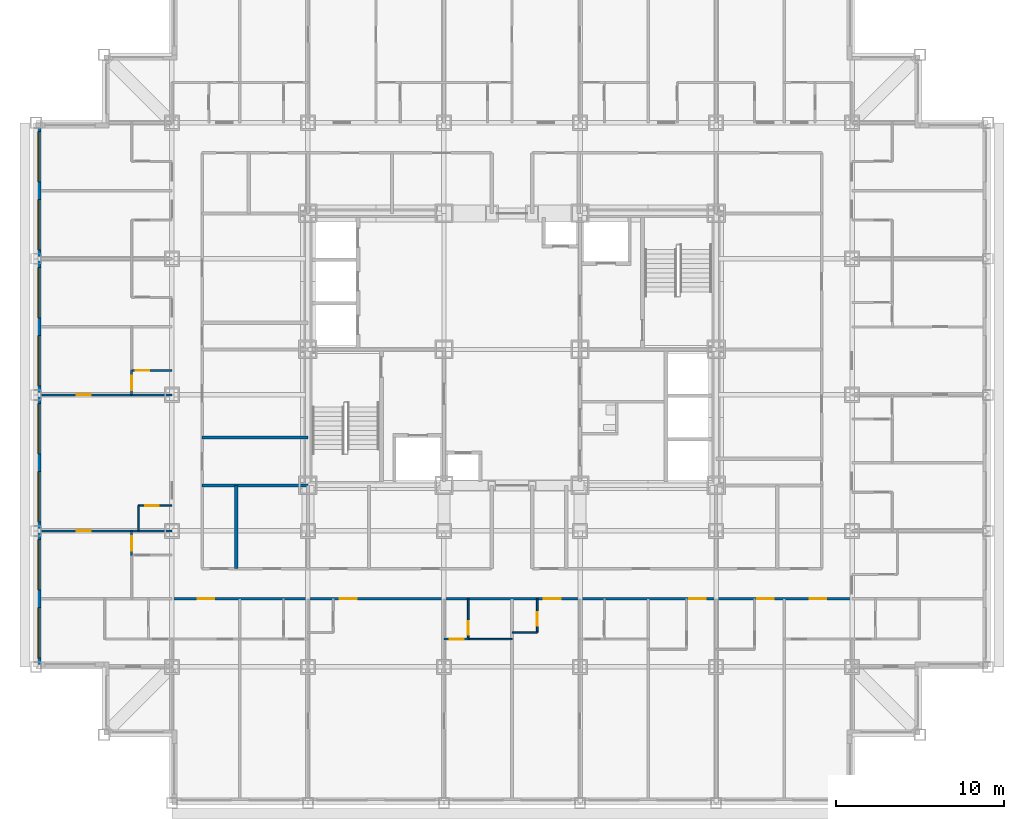
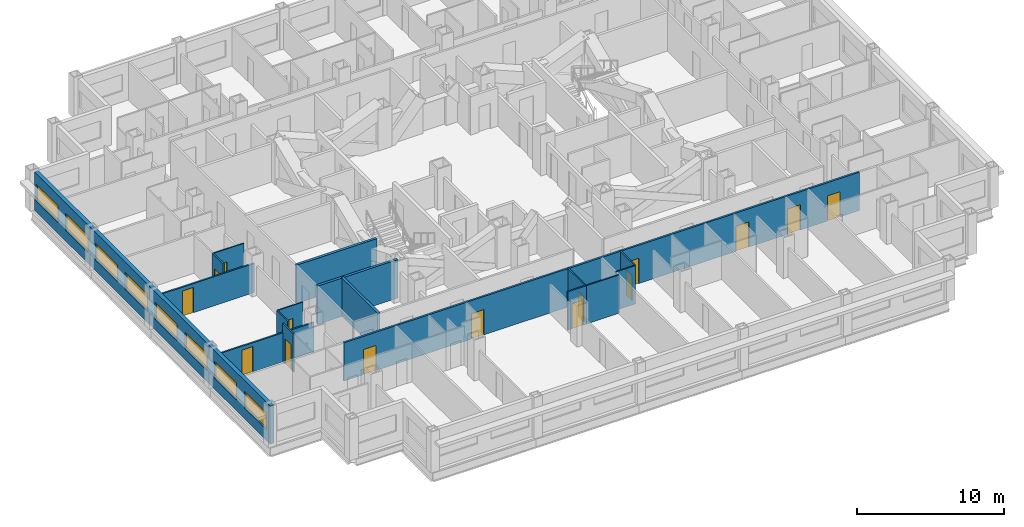
# One storey, part 5 of 14: 17 walls, 15 doors, 8 windows, 23 openings.
"""IFC4 building model written with IfcOpenShell, lengths in metres."""

from ifc_helpers import new_model, si_unit, direction, frame, frame_2d, origin, place, context, subcontext, project, spatial, rectangle, extrude, material, layer, layer_set, type_object, element, fill, save


model = new_model("IFC4")

# Units and contexts
model_context = context("Model", 3, precision=1e-05, world=origin(), true_north=direction((0.0, 1.0)))
body_context = subcontext(model_context, "Body", "Model", "MODEL_VIEW")
ifc_project = project(units=[si_unit("LENGTHUNIT", "METRE"), si_unit("AREAUNIT", "SQUARE_METRE"), si_unit("VOLUMEUNIT", "CUBIC_METRE"), si_unit("PLANEANGLEUNIT", "RADIAN"), si_unit("MASSUNIT", "GRAM", prefix="KILO")], contexts=[model_context])

# Site, building, storey
site_placement = place(None, origin())
site = spatial("IfcSite", under=ifc_project, at=site_placement, CompositionType="ELEMENT")
building_placement = place(site_placement, origin())
building = spatial("IfcBuilding", under=site, at=building_placement, Name="Kopane Lantern Tower", CompositionType="ELEMENT")
storey_placement = place(building_placement, frame((0.0, 0.0, 151.0)))
storey = spatial("IfcBuildingStorey", under=building, at=storey_placement, Name="L39", CompositionType="ELEMENT", Elevation=151.0)

# Wall, opening, door
ifc_material_1 = material(Name="Gypsum board on steel studs", Category="steel")
ifc_layer_1 = layer(ifc_material_1, 0.1201171875)
ifc_layer_set_1 = layer_set([ifc_layer_1], Name="APARTMENT INTERNAL WALL 120")
wall_type_1 = type_object("IfcWallType", Name="APARTMENT INTERNAL WALL 120", PredefinedType="PARTITIONING", material=ifc_layer_set_1)
wall_1_placement = place(storey_placement, frame((8.10009765625, 21.60009765625, 0.0), z_axis=(0.0, 0.0, 1.0), x_axis=(-1.0, 0.0, 0.0)))
wall_1 = element("IfcWall", 1, at=wall_1_placement, inside=storey, type_object=wall_type_1, Name="Apartment Internal Wall 120 L39", PredefinedType="PARTITIONING", context=body_context, shape_type="SweptSolid", body=[
    extrude(rectangle(XDim=7.800048828125, YDim=0.1201171875, at=frame_2d((3.89990234375, 0.0))), origin(), (0.0, 0.0, 1.0), 2.420166015625),
])
opening_1_placement = place(wall_1_placement, frame((4.824951171875, 0.0, 0.0)))
opening_1 = element("IfcOpeningElement", 2, at=opening_1_placement, cuts=wall_1, Name="Opening L39-054", PredefinedType="OPENING", context=body_context, shape_type="SweptSolid", body=[
    extrude(rectangle(XDim=0.85009765625, YDim=2.10009765625, at=frame_2d((0.425048828125, 1.050048828125))), frame((0.0, 0.070068359375, 0.0), z_axis=(0.0, -1.0, 0.0), x_axis=(1.0, 0.0, 0.0)), (0.0, 0.0, 1.0), 0.14013671875),
])
ifc_material_2 = material(Name="Timber door set", Category="wood")
door_type_1 = type_object("IfcDoorType", Name="DOOR D4 850x2100", OperationType="SINGLE_SWING_LEFT", PredefinedType="DOOR", material=ifc_material_2)
door_1_placement = place(opening_1_placement, origin())
door_1 = element("IfcDoor", 3, at=door_1_placement, inside=storey, type_object=door_type_1, Name="Door L39-054", OperationType="SINGLE_SWING_LEFT", OverallHeight=2.10009765625, OverallWidth=0.85009765625, PredefinedType="DOOR", context=body_context, shape_type="SweptSolid", body=[
    extrude(rectangle(XDim=0.85009765625, YDim=2.10009765625, at=frame_2d((0.425048828125, 1.050048828125))), frame((0.0, 0.02490234375, 0.0), z_axis=(0.0, -1.0, 0.0), x_axis=(1.0, 0.0, 0.0)), (0.0, 0.0, 1.0), 0.050048828125),
])
fill(opening_1, door_1)

wall_2_placement = place(storey_placement, frame((8.10009765625, 29.699951171875, 0.0), z_axis=(0.0, 0.0, 1.0), x_axis=(-1.0, 0.0, 0.0)))
wall_2 = element("IfcWall", 4, at=wall_2_placement, inside=storey, type_object=wall_type_1, Name="Apartment Internal Wall 120 L39", PredefinedType="PARTITIONING", context=body_context, shape_type="SweptSolid", body=[
    extrude(rectangle(XDim=7.800048828125, YDim=0.1201171875, at=frame_2d((3.89990234375, 0.0))), origin(), (0.0, 0.0, 1.0), 2.420166015625),
])
opening_2_placement = place(wall_2_placement, frame((4.824951171875, 0.0, 0.0)))
opening_2 = element("IfcOpeningElement", 5, at=opening_2_placement, cuts=wall_2, Name="Opening L39-056", PredefinedType="OPENING", context=body_context, shape_type="SweptSolid", body=[
    extrude(rectangle(XDim=0.85009765625, YDim=2.10009765625, at=frame_2d((0.425048828125, 1.050048828125))), frame((0.0, 0.070068359375, 0.0), z_axis=(0.0, -1.0, 0.0), x_axis=(1.0, 0.0, 0.0)), (0.0, 0.0, 1.0), 0.14013671875),
])
door_2_placement = place(opening_2_placement, origin())
door_2 = element("IfcDoor", 6, at=door_2_placement, inside=storey, type_object=door_type_1, Name="Door L39-056", OperationType="SINGLE_SWING_RIGHT", OverallHeight=2.10009765625, OverallWidth=0.85009765625, PredefinedType="DOOR", context=body_context, shape_type="SweptSolid", body=[
    extrude(rectangle(XDim=0.85009765625, YDim=2.10009765625, at=frame_2d((0.425048828125, 1.050048828125))), frame((0.0, 0.02490234375, 0.0), z_axis=(0.0, -1.0, 0.0), x_axis=(1.0, 0.0, 0.0)), (0.0, 0.0, 1.0), 0.050048828125),
])
fill(opening_2, door_2)

wall_3_placement = place(storey_placement, frame((25.760009765625, 15.14990234375, 0.0), z_axis=(0.0, 0.0, 1.0), x_axis=(-1.0, 0.0, 0.0)))
wall_3 = element("IfcWall", 7, at=wall_3_placement, inside=storey, type_object=wall_type_1, Name="Apartment Internal Wall 120 L39", PredefinedType="PARTITIONING", context=body_context, shape_type="SweptSolid", body=[
    extrude(rectangle(XDim=1.4599609375, YDim=0.1201171875, at=frame_2d((0.72998046875, 0.0))), origin(), (0.0, 0.0, 1.0), 3.18994140625),
])
opening_3_placement = place(wall_3_placement, frame((0.27490234375, 0.0, 0.0)))
opening_3 = element("IfcOpeningElement", 8, at=opening_3_placement, cuts=wall_3, Name="Opening L39-093", PredefinedType="OPENING", context=body_context, shape_type="SweptSolid", body=[
    extrude(rectangle(XDim=0.85009765625, YDim=2.10009765625, at=frame_2d((0.425048828125, 1.050048828125))), frame((0.0, 0.070068359375, 0.0), z_axis=(0.0, -1.0, 0.0), x_axis=(1.0, 0.0, 0.0)), (0.0, 0.0, 1.0), 0.14013671875),
])
door_3_placement = place(opening_3_placement, origin())
door_3 = element("IfcDoor", 9, at=door_3_placement, inside=storey, type_object=door_type_1, Name="Door L39-093", OperationType="SINGLE_SWING_RIGHT", OverallHeight=2.10009765625, OverallWidth=0.85009765625, PredefinedType="DOOR", context=body_context, shape_type="SweptSolid", body=[
    extrude(rectangle(XDim=0.85009765625, YDim=2.10009765625, at=frame_2d((0.425048828125, 1.050048828125))), frame((0.0, 0.02490234375, 0.0), z_axis=(0.0, -1.0, 0.0), x_axis=(1.0, 0.0, 0.0)), (0.0, 0.0, 1.0), 0.050048828125),
])
fill(opening_3, door_3)

wall_4_placement = place(storey_placement, frame((5.699951171875, 20.139892578125, 0.0), z_axis=(0.0, 0.0, 1.0), x_axis=(0.0, 1.0, 0.0)))
wall_4 = element("IfcWall", 10, at=wall_4_placement, inside=storey, type_object=wall_type_1, Name="Apartment Internal Wall 120 L39", PredefinedType="PARTITIONING", context=body_context, shape_type="SweptSolid", body=[
    extrude(rectangle(XDim=1.460205078125, YDim=0.1201171875, at=frame_2d((0.72998046875, 0.0))), origin(), (0.0, 0.0, 1.0), 3.18994140625),
])
opening_4_placement = place(wall_4_placement, frame((0.27490234375, 0.0, 0.0)))
opening_4 = element("IfcOpeningElement", 11, at=opening_4_placement, cuts=wall_4, Name="Opening L39-099", PredefinedType="OPENING", context=body_context, shape_type="SweptSolid", body=[
    extrude(rectangle(XDim=0.85009765625, YDim=2.10009765625, at=frame_2d((0.425048828125, 1.050048828125))), frame((0.0, 0.070068359375, 0.0), z_axis=(0.0, -1.0, 0.0), x_axis=(1.0, 0.0, 0.0)), (0.0, 0.0, 1.0), 0.14013671875),
])
door_4_placement = place(opening_4_placement, origin())
door_4 = element("IfcDoor", 12, at=door_4_placement, inside=storey, type_object=door_type_1, Name="Door L39-099", OperationType="SINGLE_SWING_RIGHT", OverallHeight=2.10009765625, OverallWidth=0.85009765625, PredefinedType="DOOR", context=body_context, shape_type="SweptSolid", body=[
    extrude(rectangle(XDim=0.85009765625, YDim=2.10009765625, at=frame_2d((0.425048828125, 1.050048828125))), frame((0.0, 0.02490234375, 0.0), z_axis=(0.0, -1.0, 0.0), x_axis=(1.0, 0.0, 0.0)), (0.0, 0.0, 1.0), 0.050048828125),
])
fill(opening_4, door_4)

wall_5_placement = place(storey_placement, frame((5.699951171875, 29.699951171875, 0.0), z_axis=(0.0, 0.0, 1.0), x_axis=(0.0, 1.0, 0.0)))
wall_5 = element("IfcWall", 13, at=wall_5_placement, inside=storey, type_object=wall_type_1, Name="Apartment Internal Wall 120 L39", PredefinedType="PARTITIONING", context=body_context, shape_type="SweptSolid", body=[
    extrude(rectangle(XDim=1.4599609375, YDim=0.1201171875, at=frame_2d((0.72998046875, 0.0))), origin(), (0.0, 0.0, 1.0), 3.18994140625),
])
opening_5_placement = place(wall_5_placement, frame((0.27490234375, 0.0, 0.0)))
opening_5 = element("IfcOpeningElement", 14, at=opening_5_placement, cuts=wall_5, Name="Opening L39-100", PredefinedType="OPENING", context=body_context, shape_type="SweptSolid", body=[
    extrude(rectangle(XDim=0.85009765625, YDim=2.10009765625, at=frame_2d((0.425048828125, 1.050048828125))), frame((0.0, 0.070068359375, 0.0), z_axis=(0.0, -1.0, 0.0), x_axis=(1.0, 0.0, 0.0)), (0.0, 0.0, 1.0), 0.14013671875),
])
door_5_placement = place(opening_5_placement, origin())
door_5 = element("IfcDoor", 15, at=door_5_placement, inside=storey, type_object=door_type_1, Name="Door L39-100", OperationType="SINGLE_SWING_LEFT", OverallHeight=2.10009765625, OverallWidth=0.85009765625, PredefinedType="DOOR", context=body_context, shape_type="SweptSolid", body=[
    extrude(rectangle(XDim=0.85009765625, YDim=2.10009765625, at=frame_2d((0.425048828125, 1.050048828125))), frame((0.0, 0.02490234375, 0.0), z_axis=(0.0, -1.0, 0.0), x_axis=(1.0, 0.0, 0.0)), (0.0, 0.0, 1.0), 0.050048828125),
])
fill(opening_5, door_5)

# Wall
ifc_material_3 = material(Name="Moisture-resistant board on steel studs", Category="steel")
ifc_layer_2 = layer(ifc_material_3, 0.10009765625)
ifc_layer_set_2 = layer_set([ifc_layer_2], Name="BATHROOM WALL 100")
wall_type_2 = type_object("IfcWallType", Name="BATHROOM WALL 100", PredefinedType="PARTITIONING", material=ifc_layer_set_2)
wall_6_placement = place(storey_placement, frame((25.75, 15.14990234375, 0.0), z_axis=(0.0, 0.0, 1.0), x_axis=(1.0, 0.0, 0.0)))
element("IfcWall", 16, at=wall_6_placement, inside=storey, type_object=wall_type_2, Name="Bathroom Wall 100 L39", PredefinedType="PARTITIONING", context=body_context, shape_type="SweptSolid", body=[
    extrude(rectangle(XDim=2.60009765625, YDim=0.10009765625, at=frame_2d((1.300048828125, 0.0))), origin(), (0.0, 0.0, 1.0), 3.18994140625),
])

# Wall, opening, door
wall_7_placement = place(storey_placement, frame((25.75, 17.550048828125, 0.0), z_axis=(0.0, 0.0, 1.0), x_axis=(0.0, -1.0, 0.0)))
wall_7 = element("IfcWall", 17, at=wall_7_placement, inside=storey, type_object=wall_type_2, Name="Bathroom Wall 100 L39", PredefinedType="PARTITIONING", context=body_context, shape_type="SweptSolid", body=[
    extrude(rectangle(XDim=2.400146484375, YDim=0.10009765625, at=frame_2d((1.2001953125, 0.0))), origin(), (0.0, 0.0, 1.0), 3.18994140625),
])
opening_6_placement = place(wall_7_placement, frame((1.35009765625, 0.0, 0.0)))
opening_6 = element("IfcOpeningElement", 18, at=opening_6_placement, cuts=wall_7, Name="Opening L39-027", PredefinedType="OPENING", context=body_context, shape_type="SweptSolid", body=[
    extrude(rectangle(XDim=0.800048828125, YDim=2.10009765625, at=frame_2d((0.39990234375, 1.050048828125))), frame((0.0, 0.06005859375, 0.0), z_axis=(0.0, -1.0, 0.0), x_axis=(1.0, 0.0, 0.0)), (0.0, 0.0, 1.0), 0.1201171875),
])
ifc_material_4 = material(Name="Timber door set", Category="wood")
door_type_2 = type_object("IfcDoorType", Name="DOOR D2 800x2100", OperationType="SINGLE_SWING_LEFT", PredefinedType="DOOR", material=ifc_material_4)
door_6_placement = place(opening_6_placement, origin())
door_6 = element("IfcDoor", 19, at=door_6_placement, inside=storey, type_object=door_type_2, Name="Door L39-027", OperationType="SINGLE_SWING_LEFT", OverallHeight=2.10009765625, OverallWidth=0.800048828125, PredefinedType="DOOR", context=body_context, shape_type="SweptSolid", body=[
    extrude(rectangle(XDim=0.800048828125, YDim=2.10009765625, at=frame_2d((0.39990234375, 1.050048828125))), frame((0.0, 0.02490234375, 0.0), z_axis=(0.0, -1.0, 0.0), x_axis=(1.0, 0.0, 0.0)), (0.0, 0.0, 1.0), 0.050048828125),
])
fill(opening_6, door_6)

# Wall
wall_8_placement = place(storey_placement, frame((28.35009765625, 15.550048828125, 0.0), z_axis=(0.0, 0.0, 1.0), x_axis=(1.0, 0.0, 0.0)))
element("IfcWall", 20, at=wall_8_placement, inside=storey, type_object=wall_type_2, Name="Bathroom Wall 100 L39", PredefinedType="PARTITIONING", context=body_context, shape_type="SweptSolid", body=[
    extrude(rectangle(XDim=1.5, YDim=0.10009765625, at=frame_2d((0.75, 0.0))), origin(), (0.0, 0.0, 1.0), 3.18994140625),
])

# Wall, opening, door
wall_9_placement = place(storey_placement, frame((29.85009765625, 17.550048828125, 0.0), z_axis=(0.0, 0.0, 1.0), x_axis=(0.0, -1.0, 0.0)))
wall_9 = element("IfcWall", 21, at=wall_9_placement, inside=storey, type_object=wall_type_2, Name="Bathroom Wall 100 L39", PredefinedType="PARTITIONING", context=body_context, shape_type="SweptSolid", body=[
    extrude(rectangle(XDim=2.0, YDim=0.10009765625, at=frame_2d((1.0, 0.0))), origin(), (0.0, 0.0, 1.0), 3.18994140625),
])
opening_7_placement = place(wall_9_placement, frame((0.800048828125, 0.0, 0.0)))
opening_7 = element("IfcOpeningElement", 22, at=opening_7_placement, cuts=wall_9, Name="Opening L39-029", PredefinedType="OPENING", context=body_context, shape_type="SweptSolid", body=[
    extrude(rectangle(XDim=0.800048828125, YDim=2.10009765625, at=frame_2d((0.39990234375, 1.050048828125))), frame((0.0, 0.06005859375, 0.0), z_axis=(0.0, -1.0, 0.0), x_axis=(1.0, 0.0, 0.0)), (0.0, 0.0, 1.0), 0.1201171875),
])
door_7_placement = place(opening_7_placement, origin())
door_7 = element("IfcDoor", 23, at=door_7_placement, inside=storey, type_object=door_type_2, Name="Door L39-029", OperationType="SINGLE_SWING_LEFT", OverallHeight=2.10009765625, OverallWidth=0.800048828125, PredefinedType="DOOR", context=body_context, shape_type="SweptSolid", body=[
    extrude(rectangle(XDim=0.800048828125, YDim=2.10009765625, at=frame_2d((0.39990234375, 1.050048828125))), frame((0.0, 0.02490234375, 0.0), z_axis=(0.0, -1.0, 0.0), x_axis=(1.0, 0.0, 0.0)), (0.0, 0.0, 1.0), 0.050048828125),
])
fill(opening_7, door_7)

# Wall
wall_10_placement = place(storey_placement, frame((6.10009765625, 21.60009765625, 0.0), z_axis=(0.0, 0.0, 1.0), x_axis=(0.0, 1.0, 0.0)))
element("IfcWall", 24, at=wall_10_placement, inside=storey, type_object=wall_type_2, Name="Bathroom Wall 100 L39", PredefinedType="PARTITIONING", context=body_context, shape_type="SweptSolid", body=[
    extrude(rectangle(XDim=1.5, YDim=0.10009765625, at=frame_2d((0.75, 0.0))), origin(), (0.0, 0.0, 1.0), 3.18994140625),
])

# Wall, opening, door
wall_11_placement = place(storey_placement, frame((8.10009765625, 23.10009765625, 0.0), z_axis=(0.0, 0.0, 1.0), x_axis=(-1.0, 0.0, 0.0)))
wall_11 = element("IfcWall", 25, at=wall_11_placement, inside=storey, type_object=wall_type_2, Name="Bathroom Wall 100 L39", PredefinedType="PARTITIONING", context=body_context, shape_type="SweptSolid", body=[
    extrude(rectangle(XDim=2.0, YDim=0.10009765625, at=frame_2d((1.0, 0.0))), origin(), (0.0, 0.0, 1.0), 3.18994140625),
])
opening_8_placement = place(wall_11_placement, frame((0.800048828125, 0.0, 0.0)))
opening_8 = element("IfcOpeningElement", 26, at=opening_8_placement, cuts=wall_11, Name="Opening L39-051", PredefinedType="OPENING", context=body_context, shape_type="SweptSolid", body=[
    extrude(rectangle(XDim=0.800048828125, YDim=2.10009765625, at=frame_2d((0.39990234375, 1.050048828125))), frame((0.0, 0.06005859375, 0.0), z_axis=(0.0, -1.0, 0.0), x_axis=(1.0, 0.0, 0.0)), (0.0, 0.0, 1.0), 0.1201171875),
])
door_8_placement = place(opening_8_placement, origin())
door_8 = element("IfcDoor", 27, at=door_8_placement, inside=storey, type_object=door_type_2, Name="Door L39-051", OperationType="SINGLE_SWING_RIGHT", OverallHeight=2.10009765625, OverallWidth=0.800048828125, PredefinedType="DOOR", context=body_context, shape_type="SweptSolid", body=[
    extrude(rectangle(XDim=0.800048828125, YDim=2.10009765625, at=frame_2d((0.39990234375, 1.050048828125))), frame((0.0, 0.02490234375, 0.0), z_axis=(0.0, -1.0, 0.0), x_axis=(1.0, 0.0, 0.0)), (0.0, 0.0, 1.0), 0.050048828125),
])
fill(opening_8, door_8)

wall_12_placement = place(storey_placement, frame((8.10009765625, 31.14990234375, 0.0), z_axis=(0.0, 0.0, 1.0), x_axis=(-1.0, 0.0, 0.0)))
wall_12 = element("IfcWall", 28, at=wall_12_placement, inside=storey, type_object=wall_type_2, Name="Bathroom Wall 100 L39", PredefinedType="PARTITIONING", context=body_context, shape_type="SweptSolid", body=[
    extrude(rectangle(XDim=2.400146484375, YDim=0.10009765625, at=frame_2d((1.2001953125, 0.0))), origin(), (0.0, 0.0, 1.0), 3.18994140625),
])
opening_9_placement = place(wall_12_placement, frame((1.35009765625, 0.0, 0.0)))
opening_9 = element("IfcOpeningElement", 29, at=opening_9_placement, cuts=wall_12, Name="Opening L39-055", PredefinedType="OPENING", context=body_context, shape_type="SweptSolid", body=[
    extrude(rectangle(XDim=0.800048828125, YDim=2.10009765625, at=frame_2d((0.39990234375, 1.050048828125))), frame((0.0, 0.06005859375, 0.0), z_axis=(0.0, -1.0, 0.0), x_axis=(1.0, 0.0, 0.0)), (0.0, 0.0, 1.0), 0.1201171875),
])
door_9_placement = place(opening_9_placement, origin())
door_9 = element("IfcDoor", 30, at=door_9_placement, inside=storey, type_object=door_type_2, Name="Door L39-055", OperationType="SINGLE_SWING_RIGHT", OverallHeight=2.10009765625, OverallWidth=0.800048828125, PredefinedType="DOOR", context=body_context, shape_type="SweptSolid", body=[
    extrude(rectangle(XDim=0.800048828125, YDim=2.10009765625, at=frame_2d((0.39990234375, 1.050048828125))), frame((0.0, 0.02490234375, 0.0), z_axis=(0.0, -1.0, 0.0), x_axis=(1.0, 0.0, 0.0)), (0.0, 0.0, 1.0), 0.050048828125),
])
fill(opening_9, door_9)

# Wall, openings, doors
ifc_material_5 = material(Name="Gypsum board on steel studs", Category="steel")
ifc_layer_3 = layer(ifc_material_5, 0.14990234375)
ifc_layer_set_3 = layer_set([ifc_layer_3], Name="CORRIDOR WALL 150 EI 60")
wall_type_3 = type_object("IfcWallType", Name="CORRIDOR WALL 150 EI 60", PredefinedType="PARTITIONING", material=ifc_layer_set_3)
wall_13_placement = place(storey_placement, frame((8.10009765625, 17.550048828125, 0.0), z_axis=(0.0, 0.0, 1.0), x_axis=(1.0, 0.0, 0.0)))
wall_13 = element("IfcWall", 31, at=wall_13_placement, inside=storey, type_object=wall_type_3, Name="Corridor Wall 150 Ei 60 L39", PredefinedType="PARTITIONING", context=body_context, shape_type="SweptSolid", body=[
    extrude(rectangle(XDim=40.5, YDim=0.14990234375, at=frame_2d((20.25, 0.0))), origin(), (0.0, 0.0, 1.0), 3.18994140625),
])
opening_10_placement = place(wall_13_placement, frame((10.0, 0.0, 0.0)))
opening_10 = element("IfcOpeningElement", 32, at=opening_10_placement, cuts=wall_13, Name="Opening L39-024", PredefinedType="OPENING", context=body_context, shape_type="SweptSolid", body=[
    extrude(rectangle(XDim=1.0, YDim=2.10009765625, at=frame_2d((0.5, 1.050048828125))), frame((0.0, 0.0849609375, 0.0), z_axis=(0.0, -1.0, 0.0), x_axis=(1.0, 0.0, 0.0)), (0.0, 0.0, 1.0), 0.169921875),
])
opening_11_placement = place(wall_13_placement, frame((22.14990234375, 0.0, 0.0)))
opening_11 = element("IfcOpeningElement", 33, at=opening_11_placement, cuts=wall_13, Name="Opening L39-030", PredefinedType="OPENING", context=body_context, shape_type="SweptSolid", body=[
    extrude(rectangle(XDim=1.0, YDim=2.10009765625, at=frame_2d((0.5, 1.050048828125))), frame((0.0, 0.0849609375, 0.0), z_axis=(0.0, -1.0, 0.0), x_axis=(1.0, 0.0, 0.0)), (0.0, 0.0, 1.0), 0.169921875),
])
opening_12_placement = place(wall_13_placement, frame((30.800048828125, 0.0, 0.0)))
opening_12 = element("IfcOpeningElement", 34, at=opening_12_placement, cuts=wall_13, Name="Opening L39-034", PredefinedType="OPENING", context=body_context, shape_type="SweptSolid", body=[
    extrude(rectangle(XDim=1.0, YDim=2.10009765625, at=frame_2d((0.5, 1.050048828125))), frame((0.0, 0.0849609375, 0.0), z_axis=(0.0, -1.0, 0.0), x_axis=(1.0, 0.0, 0.0)), (0.0, 0.0, 1.0), 0.169921875),
])
opening_13_placement = place(wall_13_placement, frame((34.85009765625, 0.0, 0.0)))
opening_13 = element("IfcOpeningElement", 35, at=opening_13_placement, cuts=wall_13, Name="Opening L39-036", PredefinedType="OPENING", context=body_context, shape_type="SweptSolid", body=[
    extrude(rectangle(XDim=1.0, YDim=2.10009765625, at=frame_2d((0.5, 1.050048828125))), frame((0.0, 0.0849609375, 0.0), z_axis=(0.0, -1.0, 0.0), x_axis=(1.0, 0.0, 0.0)), (0.0, 0.0, 1.0), 0.169921875),
])
opening_14_placement = place(wall_13_placement, frame((1.52490234375, 0.0, 0.0)))
opening_14 = element("IfcOpeningElement", 36, at=opening_14_placement, cuts=wall_13, Name="Opening L39-076", PredefinedType="OPENING", context=body_context, shape_type="SweptSolid", body=[
    extrude(rectangle(XDim=1.0, YDim=2.10009765625, at=frame_2d((0.5, 1.050048828125))), frame((0.0, 0.0849609375, 0.0), z_axis=(0.0, -1.0, 0.0), x_axis=(1.0, 0.0, 0.0)), (0.0, 0.0, 1.0), 0.169921875),
])
opening_15_placement = place(wall_13_placement, frame((37.97509765625, 0.0, 0.0)))
opening_15 = element("IfcOpeningElement", 37, at=opening_15_placement, cuts=wall_13, Name="Opening L39-081", PredefinedType="OPENING", context=body_context, shape_type="SweptSolid", body=[
    extrude(rectangle(XDim=1.0, YDim=2.10009765625, at=frame_2d((0.5, 1.050048828125))), frame((0.0, 0.0849609375, 0.0), z_axis=(0.0, -1.0, 0.0), x_axis=(1.0, 0.0, 0.0)), (0.0, 0.0, 1.0), 0.169921875),
])
ifc_material_6 = material(Name="Steel door set", Category="steel")
door_type_3 = type_object("IfcDoorType", Name="DOOR D1 1000x2100 FD30S", OperationType="SINGLE_SWING_LEFT", PredefinedType="DOOR", material=ifc_material_6)
door_10_placement = place(opening_10_placement, origin())
door_10 = element("IfcDoor", 38, at=door_10_placement, inside=storey, type_object=door_type_3, Name="Door L39-024", OperationType="SINGLE_SWING_RIGHT", OverallHeight=2.10009765625, OverallWidth=1.0, PredefinedType="DOOR", context=body_context, shape_type="SweptSolid", body=[
    extrude(rectangle(XDim=1.0, YDim=2.10009765625, at=frame_2d((0.5, 1.050048828125))), frame((0.0, 0.02490234375, 0.0), z_axis=(0.0, -1.0, 0.0), x_axis=(1.0, 0.0, 0.0)), (0.0, 0.0, 1.0), 0.050048828125),
])
fill(opening_10, door_10)
door_11_placement = place(opening_11_placement, origin())
door_11 = element("IfcDoor", 39, at=door_11_placement, inside=storey, type_object=door_type_3, Name="Door L39-030", OperationType="SINGLE_SWING_RIGHT", OverallHeight=2.10009765625, OverallWidth=1.0, PredefinedType="DOOR", context=body_context, shape_type="SweptSolid", body=[
    extrude(rectangle(XDim=1.0, YDim=2.10009765625, at=frame_2d((0.5, 1.050048828125))), frame((0.0, 0.02490234375, 0.0), z_axis=(0.0, -1.0, 0.0), x_axis=(1.0, 0.0, 0.0)), (0.0, 0.0, 1.0), 0.050048828125),
])
fill(opening_11, door_11)
door_12_placement = place(opening_12_placement, origin())
door_12 = element("IfcDoor", 40, at=door_12_placement, inside=storey, type_object=door_type_3, Name="Door L39-034", OperationType="SINGLE_SWING_RIGHT", OverallHeight=2.10009765625, OverallWidth=1.0, PredefinedType="DOOR", context=body_context, shape_type="SweptSolid", body=[
    extrude(rectangle(XDim=1.0, YDim=2.10009765625, at=frame_2d((0.5, 1.050048828125))), frame((0.0, 0.02490234375, 0.0), z_axis=(0.0, -1.0, 0.0), x_axis=(1.0, 0.0, 0.0)), (0.0, 0.0, 1.0), 0.050048828125),
])
fill(opening_12, door_12)
door_13_placement = place(opening_13_placement, origin())
door_13 = element("IfcDoor", 41, at=door_13_placement, inside=storey, type_object=door_type_3, Name="Door L39-036", OperationType="SINGLE_SWING_RIGHT", OverallHeight=2.10009765625, OverallWidth=1.0, PredefinedType="DOOR", context=body_context, shape_type="SweptSolid", body=[
    extrude(rectangle(XDim=1.0, YDim=2.10009765625, at=frame_2d((0.5, 1.050048828125))), frame((0.0, 0.02490234375, 0.0), z_axis=(0.0, -1.0, 0.0), x_axis=(1.0, 0.0, 0.0)), (0.0, 0.0, 1.0), 0.050048828125),
])
fill(opening_13, door_13)
door_14_placement = place(opening_14_placement, origin())
door_14 = element("IfcDoor", 42, at=door_14_placement, inside=storey, type_object=door_type_3, Name="Door L39-076", OperationType="SINGLE_SWING_LEFT", OverallHeight=2.10009765625, OverallWidth=1.0, PredefinedType="DOOR", context=body_context, shape_type="SweptSolid", body=[
    extrude(rectangle(XDim=1.0, YDim=2.10009765625, at=frame_2d((0.5, 1.050048828125))), frame((0.0, 0.02490234375, 0.0), z_axis=(0.0, -1.0, 0.0), x_axis=(1.0, 0.0, 0.0)), (0.0, 0.0, 1.0), 0.050048828125),
])
fill(opening_14, door_14)
door_15_placement = place(opening_15_placement, origin())
door_15 = element("IfcDoor", 43, at=door_15_placement, inside=storey, type_object=door_type_3, Name="Door L39-081", OperationType="SINGLE_SWING_RIGHT", OverallHeight=2.10009765625, OverallWidth=1.0, PredefinedType="DOOR", context=body_context, shape_type="SweptSolid", body=[
    extrude(rectangle(XDim=1.0, YDim=2.10009765625, at=frame_2d((0.5, 1.050048828125))), frame((0.0, 0.02490234375, 0.0), z_axis=(0.0, -1.0, 0.0), x_axis=(1.0, 0.0, 0.0)), (0.0, 0.0, 1.0), 0.050048828125),
])
fill(opening_15, door_15)

# Wall, openings, windows
ifc_material_7 = material(Name="Terracotta rainscreen on light steel framing", Category="masonry")
ifc_layer_4 = layer(ifc_material_7, 0.300048828125)
ifc_layer_set_4 = layer_set([ifc_layer_4], Name="EXTERNAL WALL EW1 300 TERRACOTTA")
wall_type_4 = type_object("IfcWallType", Name="EXTERNAL WALL EW1 300 TERRACOTTA", PredefinedType="SOLIDWALL", material=ifc_layer_set_4)
wall_14_placement = place(storey_placement, frame((0.14990234375, 45.60009765625, 0.0), z_axis=(0.0, 0.0, 1.0), x_axis=(0.0, -1.0, 0.0)))
wall_14 = element("IfcWall", 44, at=wall_14_placement, inside=storey, type_object=wall_type_4, Name="External wall W L39", PredefinedType="SOLIDWALL", context=body_context, shape_type="SweptSolid", body=[
    extrude(rectangle(XDim=32.10009765625, YDim=0.300048828125, at=frame_2d((16.050048828125, 0.0))), origin(), (0.0, 0.0, 1.0), 3.18994140625),
])
opening_16_placement = place(wall_14_placement, frame((0.22509765625, 0.0, 0.89990234375)))
opening_16 = element("IfcOpeningElement", 45, at=opening_16_placement, cuts=wall_14, Name="Opening WR300140", PredefinedType="OPENING", context=body_context, shape_type="SweptSolid", body=[
    extrude(rectangle(XDim=3.0, YDim=1.39990234375, at=frame_2d((1.5, 0.699951171875))), frame((0.0, 0.159912109375, 0.0), z_axis=(0.0, -1.0, 0.0), x_axis=(1.0, 0.0, 0.0)), (0.0, 0.0, 1.0), 0.320068359375),
])
opening_17_placement = place(wall_14_placement, frame((4.27490234375, 0.0, 0.89990234375)))
opening_17 = element("IfcOpeningElement", 46, at=opening_17_placement, cuts=wall_14, Name="Opening WR300140", PredefinedType="OPENING", context=body_context, shape_type="SweptSolid", body=[
    extrude(rectangle(XDim=3.0, YDim=1.39990234375, at=frame_2d((1.5, 0.699951171875))), frame((0.0, 0.159912109375, 0.0), z_axis=(0.0, -1.0, 0.0), x_axis=(1.0, 0.0, 0.0)), (0.0, 0.0, 1.0), 0.320068359375),
])
opening_18_placement = place(wall_14_placement, frame((8.324951171875, 0.0, 0.89990234375)))
opening_18 = element("IfcOpeningElement", 47, at=opening_18_placement, cuts=wall_14, Name="Opening WR300140", PredefinedType="OPENING", context=body_context, shape_type="SweptSolid", body=[
    extrude(rectangle(XDim=3.0, YDim=1.39990234375, at=frame_2d((1.5, 0.699951171875))), frame((0.0, 0.159912109375, 0.0), z_axis=(0.0, -1.0, 0.0), x_axis=(1.0, 0.0, 0.0)), (0.0, 0.0, 1.0), 0.320068359375),
])
opening_19_placement = place(wall_14_placement, frame((12.375, 0.0, 0.89990234375)))
opening_19 = element("IfcOpeningElement", 48, at=opening_19_placement, cuts=wall_14, Name="Opening WR300140", PredefinedType="OPENING", context=body_context, shape_type="SweptSolid", body=[
    extrude(rectangle(XDim=3.0, YDim=1.39990234375, at=frame_2d((1.5, 0.699951171875))), frame((0.0, 0.159912109375, 0.0), z_axis=(0.0, -1.0, 0.0), x_axis=(1.0, 0.0, 0.0)), (0.0, 0.0, 1.0), 0.320068359375),
])
opening_20_placement = place(wall_14_placement, frame((16.425048828125, 0.0, 0.89990234375)))
opening_20 = element("IfcOpeningElement", 49, at=opening_20_placement, cuts=wall_14, Name="Opening WR300140", PredefinedType="OPENING", context=body_context, shape_type="SweptSolid", body=[
    extrude(rectangle(XDim=3.0, YDim=1.39990234375, at=frame_2d((1.5, 0.699951171875))), frame((0.0, 0.159912109375, 0.0), z_axis=(0.0, -1.0, 0.0), x_axis=(1.0, 0.0, 0.0)), (0.0, 0.0, 1.0), 0.320068359375),
])
opening_21_placement = place(wall_14_placement, frame((20.47509765625, 0.0, 0.89990234375)))
opening_21 = element("IfcOpeningElement", 50, at=opening_21_placement, cuts=wall_14, Name="Opening WR300140", PredefinedType="OPENING", context=body_context, shape_type="SweptSolid", body=[
    extrude(rectangle(XDim=3.0, YDim=1.39990234375, at=frame_2d((1.5, 0.699951171875))), frame((0.0, 0.159912109375, 0.0), z_axis=(0.0, -1.0, 0.0), x_axis=(1.0, 0.0, 0.0)), (0.0, 0.0, 1.0), 0.320068359375),
])
opening_22_placement = place(wall_14_placement, frame((24.52490234375, 0.0, 0.89990234375)))
opening_22 = element("IfcOpeningElement", 51, at=opening_22_placement, cuts=wall_14, Name="Opening WR300140", PredefinedType="OPENING", context=body_context, shape_type="SweptSolid", body=[
    extrude(rectangle(XDim=3.0, YDim=1.39990234375, at=frame_2d((1.5, 0.699951171875))), frame((0.0, 0.159912109375, 0.0), z_axis=(0.0, -1.0, 0.0), x_axis=(1.0, 0.0, 0.0)), (0.0, 0.0, 1.0), 0.320068359375),
])
opening_23_placement = place(wall_14_placement, frame((28.574951171875, 0.0, 0.89990234375)))
opening_23 = element("IfcOpeningElement", 52, at=opening_23_placement, cuts=wall_14, Name="Opening WR300140", PredefinedType="OPENING", context=body_context, shape_type="SweptSolid", body=[
    extrude(rectangle(XDim=3.0, YDim=1.39990234375, at=frame_2d((1.5, 0.699951171875))), frame((0.0, 0.159912109375, 0.0), z_axis=(0.0, -1.0, 0.0), x_axis=(1.0, 0.0, 0.0)), (0.0, 0.0, 1.0), 0.320068359375),
])
ifc_material_8 = material(Name="Aluminium and clear glass", Category="aluminium")
window_type = type_object("IfcWindowType", Name="RIBBON WINDOW WR300140 3000x1400", PartitioningType="SINGLE_PANEL", PredefinedType="WINDOW", material=ifc_material_8)
window_1_placement = place(opening_16_placement, origin())
window_1 = element("IfcWindow", 53, at=window_1_placement, inside=storey, type_object=window_type, Name="Window W L39", OverallHeight=1.39990234375, OverallWidth=3.0, PartitioningType="SINGLE_PANEL", PredefinedType="WINDOW", context=body_context, shape_type="SweptSolid", body=[
    extrude(rectangle(XDim=3.0, YDim=1.39990234375, at=frame_2d((1.5, 0.699951171875))), frame((0.0, 0.030029296875, 0.0), z_axis=(0.0, -1.0, 0.0), x_axis=(1.0, 0.0, 0.0)), (0.0, 0.0, 1.0), 0.06005859375),
])
fill(opening_16, window_1)
window_2_placement = place(opening_17_placement, origin())
window_2 = element("IfcWindow", 54, at=window_2_placement, inside=storey, type_object=window_type, Name="Window W L39", OverallHeight=1.39990234375, OverallWidth=3.0, PartitioningType="SINGLE_PANEL", PredefinedType="WINDOW", context=body_context, shape_type="SweptSolid", body=[
    extrude(rectangle(XDim=3.0, YDim=1.39990234375, at=frame_2d((1.5, 0.699951171875))), frame((0.0, 0.030029296875, 0.0), z_axis=(0.0, -1.0, 0.0), x_axis=(1.0, 0.0, 0.0)), (0.0, 0.0, 1.0), 0.06005859375),
])
fill(opening_17, window_2)
window_3_placement = place(opening_18_placement, origin())
window_3 = element("IfcWindow", 55, at=window_3_placement, inside=storey, type_object=window_type, Name="Window W L39", OverallHeight=1.39990234375, OverallWidth=3.0, PartitioningType="SINGLE_PANEL", PredefinedType="WINDOW", context=body_context, shape_type="SweptSolid", body=[
    extrude(rectangle(XDim=3.0, YDim=1.39990234375, at=frame_2d((1.5, 0.699951171875))), frame((0.0, 0.030029296875, 0.0), z_axis=(0.0, -1.0, 0.0), x_axis=(1.0, 0.0, 0.0)), (0.0, 0.0, 1.0), 0.06005859375),
])
fill(opening_18, window_3)
window_4_placement = place(opening_19_placement, origin())
window_4 = element("IfcWindow", 56, at=window_4_placement, inside=storey, type_object=window_type, Name="Window W L39", OverallHeight=1.39990234375, OverallWidth=3.0, PartitioningType="SINGLE_PANEL", PredefinedType="WINDOW", context=body_context, shape_type="SweptSolid", body=[
    extrude(rectangle(XDim=3.0, YDim=1.39990234375, at=frame_2d((1.5, 0.699951171875))), frame((0.0, 0.030029296875, 0.0), z_axis=(0.0, -1.0, 0.0), x_axis=(1.0, 0.0, 0.0)), (0.0, 0.0, 1.0), 0.06005859375),
])
fill(opening_19, window_4)
window_5_placement = place(opening_20_placement, origin())
window_5 = element("IfcWindow", 57, at=window_5_placement, inside=storey, type_object=window_type, Name="Window W L39", OverallHeight=1.39990234375, OverallWidth=3.0, PartitioningType="SINGLE_PANEL", PredefinedType="WINDOW", context=body_context, shape_type="SweptSolid", body=[
    extrude(rectangle(XDim=3.0, YDim=1.39990234375, at=frame_2d((1.5, 0.699951171875))), frame((0.0, 0.030029296875, 0.0), z_axis=(0.0, -1.0, 0.0), x_axis=(1.0, 0.0, 0.0)), (0.0, 0.0, 1.0), 0.06005859375),
])
fill(opening_20, window_5)
window_6_placement = place(opening_21_placement, origin())
window_6 = element("IfcWindow", 58, at=window_6_placement, inside=storey, type_object=window_type, Name="Window W L39", OverallHeight=1.39990234375, OverallWidth=3.0, PartitioningType="SINGLE_PANEL", PredefinedType="WINDOW", context=body_context, shape_type="SweptSolid", body=[
    extrude(rectangle(XDim=3.0, YDim=1.39990234375, at=frame_2d((1.5, 0.699951171875))), frame((0.0, 0.030029296875, 0.0), z_axis=(0.0, -1.0, 0.0), x_axis=(1.0, 0.0, 0.0)), (0.0, 0.0, 1.0), 0.06005859375),
])
fill(opening_21, window_6)
window_7_placement = place(opening_22_placement, origin())
window_7 = element("IfcWindow", 59, at=window_7_placement, inside=storey, type_object=window_type, Name="Window W L39", OverallHeight=1.39990234375, OverallWidth=3.0, PartitioningType="SINGLE_PANEL", PredefinedType="WINDOW", context=body_context, shape_type="SweptSolid", body=[
    extrude(rectangle(XDim=3.0, YDim=1.39990234375, at=frame_2d((1.5, 0.699951171875))), frame((0.0, 0.030029296875, 0.0), z_axis=(0.0, -1.0, 0.0), x_axis=(1.0, 0.0, 0.0)), (0.0, 0.0, 1.0), 0.06005859375),
])
fill(opening_22, window_7)
window_8_placement = place(opening_23_placement, origin())
window_8 = element("IfcWindow", 60, at=window_8_placement, inside=storey, type_object=window_type, Name="Window W L39", OverallHeight=1.39990234375, OverallWidth=3.0, PartitioningType="SINGLE_PANEL", PredefinedType="WINDOW", context=body_context, shape_type="SweptSolid", body=[
    extrude(rectangle(XDim=3.0, YDim=1.39990234375, at=frame_2d((1.5, 0.699951171875))), frame((0.0, 0.030029296875, 0.0), z_axis=(0.0, -1.0, 0.0), x_axis=(1.0, 0.0, 0.0)), (0.0, 0.0, 1.0), 0.06005859375),
])
fill(opening_23, window_8)

# Walls
ifc_material_9 = material(Name="Concrete masonry", Category="masonry")
ifc_layer_5 = layer(ifc_material_9, 0.199951171875)
ifc_layer_set_5 = layer_set([ifc_layer_5], Name="PLANT ROOM WALL 200 EI 120")
wall_type_5 = type_object("IfcWallType", Name="PLANT ROOM WALL 200 EI 120", PredefinedType="SOLIDWALL", material=ifc_layer_set_5)
wall_15_placement = place(storey_placement, frame((9.89990234375, 27.156982421875, 0.0), z_axis=(0.0, 0.0, 1.0), x_axis=(1.0, 0.0, 0.0)))
element("IfcWall", 61, at=wall_15_placement, inside=storey, type_object=wall_type_5, Name="Plant Room Wall 200 Ei 120 L39", PredefinedType="SOLIDWALL", context=body_context, shape_type="SweptSolid", body=[
    extrude(rectangle(XDim=6.300048828125, YDim=0.199951171875, at=frame_2d((3.14990234375, 0.0))), origin(), (0.0, 0.0, 1.0), 3.18994140625),
])
wall_16_placement = place(storey_placement, frame((11.920166015625, 19.35009765625, 0.0), z_axis=(0.0, 0.0, 1.0), x_axis=(0.0, 1.0, 0.0)))
element("IfcWall", 62, at=wall_16_placement, inside=storey, type_object=wall_type_5, Name="Plant Room Wall 200 Ei 120 L39", PredefinedType="SOLIDWALL", context=body_context, shape_type="SweptSolid", body=[
    extrude(rectangle(XDim=4.949951171875, YDim=0.199951171875, at=frame_2d((2.47509765625, 0.0))), origin(), (0.0, 0.0, 1.0), 3.18994140625),
])
wall_17_placement = place(storey_placement, frame((9.89990234375, 24.300048828125, 0.0), z_axis=(0.0, 0.0, 1.0), x_axis=(1.0, 0.0, 0.0)))
element("IfcWall", 63, at=wall_17_placement, inside=storey, type_object=wall_type_5, Name="Plant Room Wall 200 Ei 120 L39", PredefinedType="SOLIDWALL", context=body_context, shape_type="SweptSolid", body=[
    extrude(rectangle(XDim=6.300048828125, YDim=0.199951171875, at=frame_2d((3.14990234375, 0.0))), origin(), (0.0, 0.0, 1.0), 3.18994140625),
])

save(model, "model.ifc")
